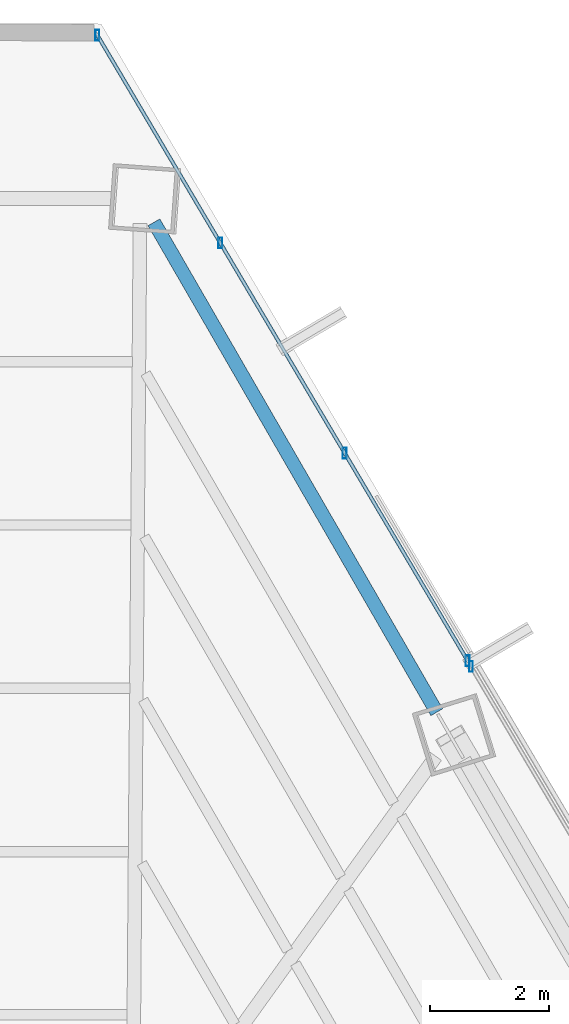
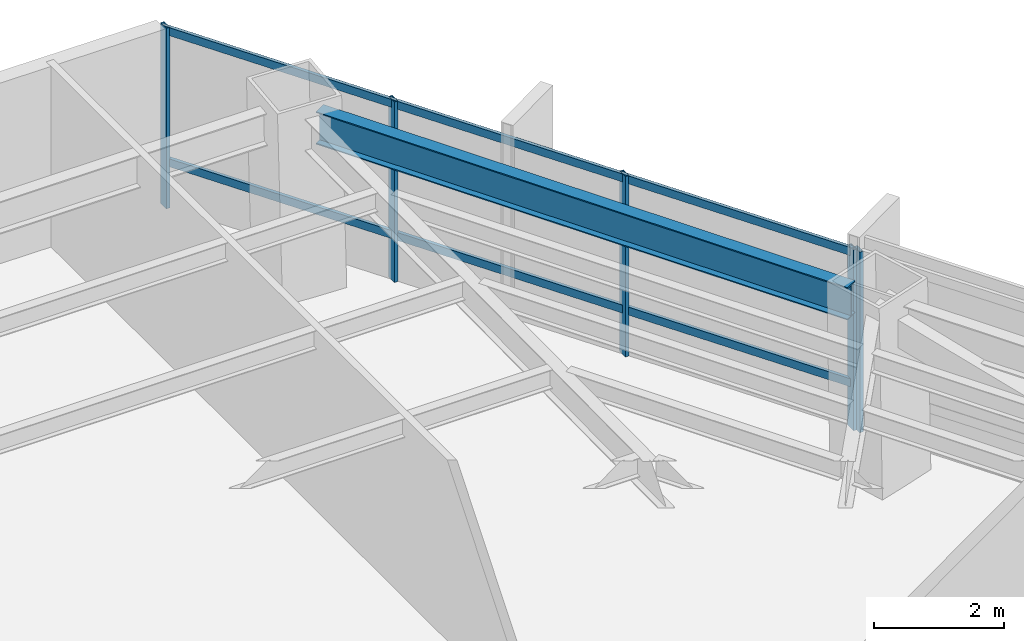
# One storey, part 28 of 35: 7 members, 1 beam, 2 elements without a shape of their own.
"""IFC4 building model written with IfcOpenShell, lengths in metres."""

import ifcopenshell
import ifcopenshell.guid

model = None  # the IFC model being written
_history = None  # IfcOwnerHistory: only IFC2X3 demands one
_inside = {}  # id of a spatial element -> (the spatial element, [elements in it])
_under = {}  # id of a project, library or spatial element -> (it, [spatial elements below it])
_declared = {}  # id of a project -> (the project, [libraries it declares])
_typed = {}  # id of a type object -> (the type object, [elements of that type])
_made_of = {}  # id of a material, layer set ... -> (it, [elements and type objects made of it])


def new_model(schema):
    """Start an empty IFC model of exactly this schema.

    Asked for "IFC4X3", IfcOpenShell would pick the latest addendum, in which some entities
    have other attributes; the version numbers below select the first issue.
    IFC2X3 requires an IfcOwnerHistory on every rooted entity: one is made here for all.
    """
    global model, _history
    if schema == "IFC4X3":
        model = ifcopenshell.file(schema_version=(4, 3, 0, 0))
    else:
        model = ifcopenshell.file(schema=schema)
    _inside.clear()
    _under.clear()
    _declared.clear()
    _typed.clear()
    _made_of.clear()
    _history = None
    if model.schema == "IFC2X3":
        org = make("IfcOrganization", Name="unknown")
        user = make(
            "IfcPersonAndOrganization",
            ThePerson=make("IfcPerson", FamilyName="unknown"),
            TheOrganization=org,
        )
        app = make(
            "IfcApplication",
            ApplicationDeveloper=org,
            Version="unknown",
            ApplicationFullName="unknown",
            ApplicationIdentifier="unknown",
        )
        _history = make(
            "IfcOwnerHistory",
            OwningUser=user,
            OwningApplication=app,
            ChangeAction="ADDED",
            CreationDate=0,
        )
    return model


def make(cls, **values):
    """One entity of the class cls with the attributes given. An attribute that is None is left unset."""
    return model.create_entity(
        cls, **{name: value for name, value in values.items() if value is not None}
    )


def rooted(cls, **values):
    """An entity with a GlobalId (a new one), such as an element, a storey or a relation."""
    return make(cls, GlobalId=ifcopenshell.guid.new(), OwnerHistory=_history, **values)


def si_unit(unit_type, name, prefix=None):
    """IfcSIUnit, for example si_unit("LENGTHUNIT", "METRE", prefix="MILLI")."""
    return make("IfcSIUnit", UnitType=unit_type, Prefix=prefix, Name=name)


def assignment(units):
    """IfcUnitAssignment: the units of a project."""
    return None if units is None else make("IfcUnitAssignment", Units=units)


def point(xyz):
    """IfcCartesianPoint."""
    return None if xyz is None else make("IfcCartesianPoint", Coordinates=xyz)


def direction(xyz):
    """IfcDirection."""
    return None if xyz is None else make("IfcDirection", DirectionRatios=xyz)


def frame(location, z_axis=None, x_axis=None):
    """IfcAxis2Placement3D, a coordinate frame: its origin and axes. An axis left out is left unset."""
    return make(
        "IfcAxis2Placement3D",
        Location=point(location),
        Axis=direction(z_axis),
        RefDirection=direction(x_axis),
    )


def frame_2d(location, x_axis=None):
    """IfcAxis2Placement2D, a coordinate frame in the plane: its origin and x axis."""
    return make(
        "IfcAxis2Placement2D", Location=point(location), RefDirection=direction(x_axis)
    )


def origin():
    """The frame at (0, 0, 0) with its axes left unset."""
    return frame((0.0, 0.0, 0.0))


def origin_2d():
    """The frame at (0, 0) in the plane with its x axis left unset."""
    return frame_2d((0.0, 0.0))


def place(relative_to, where):
    """IfcLocalPlacement: puts the frame where relative to a parent placement (None: the world)."""
    return make(
        "IfcLocalPlacement", PlacementRelTo=relative_to, RelativePlacement=where
    )


def context(
    kind, dimensions, precision=None, world=None, true_north=None, identifier=None
):
    """IfcGeometricRepresentationContext, for example the 3D "Model" context."""
    return make(
        "IfcGeometricRepresentationContext",
        ContextIdentifier=identifier,
        ContextType=kind,
        CoordinateSpaceDimension=dimensions,
        Precision=precision,
        WorldCoordinateSystem=world,
        TrueNorth=true_north,
    )


def subcontext(parent, identifier, kind, view, scale=None):
    """IfcGeometricRepresentationSubContext, for example "Body" below "Model"."""
    return make(
        "IfcGeometricRepresentationSubContext",
        ContextIdentifier=identifier,
        ContextType=kind,
        ParentContext=parent,
        TargetScale=scale,
        TargetView=view,
    )


def project(units=None, contexts=None):
    """IfcProject with its units and contexts."""
    return rooted(
        "IfcProject",
        Name="project",
        RepresentationContexts=contexts,
        UnitsInContext=assignment(units),
    )


def spatial(cls, under=None, at=None, **own):
    """A site, building, storey or space (cls), placed at a placement, below another one or the project."""
    s = rooted(cls, ObjectPlacement=at, **own)
    if under is not None:
        _under.setdefault(under.id(), (under, []))[1].append(s)
    return s


def profile(cls, at=None, kind="AREA", **sizes):
    """A parametric profile (cls). Its sizes go by their IFC names, for example OverallWidth=200.0."""
    return make(cls, ProfileType=kind, Position=at, **sizes)


def hollow_rectangle(**sizes):
    """IfcRectangleHollowProfileDef."""
    return profile("IfcRectangleHollowProfileDef", **sizes)


def i_section(**sizes):
    """IfcIShapeProfileDef."""
    return profile("IfcIShapeProfileDef", **sizes)


def extrude(swept, where, along, depth):
    """IfcExtrudedAreaSolid: the profile swept, set in the frame where, extruded along a direction by depth."""
    return make(
        "IfcExtrudedAreaSolid",
        SweptArea=swept,
        Position=where,
        ExtrudedDirection=direction(along),
        Depth=depth,
    )


def shape(context_of_items, identifier, shape_type, items):
    """IfcShapeRepresentation: the items that make up one representation, for example the "Body"."""
    return make(
        "IfcShapeRepresentation",
        ContextOfItems=context_of_items,
        RepresentationIdentifier=identifier,
        RepresentationType=shape_type,
        Items=items,
    )


def source(mapping_origin, context_of_items, identifier, shape_type, items):
    """IfcRepresentationMap: a shape defined once, which mapped items show again and again."""
    return make(
        "IfcRepresentationMap",
        MappingOrigin=mapping_origin,
        MappedRepresentation=shape(context_of_items, identifier, shape_type, items),
    )


def transform(
    local_origin,
    x_axis=None,
    y_axis=None,
    z_axis=None,
    scale=None,
    scale2=None,
    scale3=None,
    uniform=True,
):
    """IfcCartesianTransformationOperator3D, or its non-uniform kind. x_axis, y_axis, z_axis: its Axis1, 2, 3."""
    if uniform:
        return make(
            "IfcCartesianTransformationOperator3D",
            Axis1=direction(x_axis),
            Axis2=direction(y_axis),
            LocalOrigin=point(local_origin),
            Scale=scale,
            Axis3=direction(z_axis),
        )
    return make(
        "IfcCartesianTransformationOperator3DnonUniform",
        Axis1=direction(x_axis),
        Axis2=direction(y_axis),
        LocalOrigin=point(local_origin),
        Scale=scale,
        Axis3=direction(z_axis),
        Scale2=scale2,
        Scale3=scale3,
    )


def mapped(mapping_source, mapping_target):
    """IfcMappedItem: shows the shape of a source again, moved by a transform."""
    return make(
        "IfcMappedItem", MappingSource=mapping_source, MappingTarget=mapping_target
    )


def material(Name=None, Category=None):
    """IfcMaterial."""
    return make("IfcMaterial", Name=Name, Category=Category)


def material_profile(
    of_material, cross_section, Name=None, Category=None, Priority=None
):
    """IfcMaterialProfile: a cross section and its material."""
    return make(
        "IfcMaterialProfile",
        Name=Name,
        Material=of_material,
        Profile=cross_section,
        Priority=Priority,
        Category=Category,
    )


def profile_set(profiles, Name=None, composite=None):
    """IfcMaterialProfileSet."""
    return make(
        "IfcMaterialProfileSet",
        Name=Name,
        MaterialProfiles=profiles,
        CompositeProfile=composite,
    )


def made_of(thing, what):
    """Note that an element or type object is made of a material, layer set ...; save() writes the relation."""
    if what is not None:
        _made_of.setdefault(what.id(), (what, []))[1].append(thing)
    return thing


def type_object(cls, material=None, **own):
    """A type object (cls), such as IfcWallType, which elements share."""
    return made_of(rooted(cls, **own), material)


def type_shapes(of_type, sources):
    """Give a type object the sources (RepresentationMaps) that its elements show as mapped items."""
    of_type.RepresentationMaps = sources


def element(
    cls,
    number,
    at=None,
    inside=None,
    cuts=None,
    type_object=None,
    material=None,
    context=None,
    identifier="Body",
    shape_type=None,
    held_by="IfcProductDefinitionShape",
    body=None,
    shapes=None,
    **own,
):
    """One element of the class cls, such as IfcWall. Its Tag is "e" and its number.

    at: its placement. inside: the storey or other place that contains it. cuts: it is an
    opening in that element (IfcRelVoidsElement). A single representation is given by context,
    identifier, shape_type and body (its items); several are given by shapes. held_by: the class
    of the entity that holds the representations. save() writes the other relations.
    """
    e = rooted(cls, Tag="e%d" % number, ObjectPlacement=at, **own)
    if body is not None:
        shapes = [shape(context, identifier, shape_type, body)]
    if shapes is not None:
        e.Representation = make(held_by, Representations=shapes)
    if inside is not None:
        _inside.setdefault(inside.id(), (inside, []))[1].append(e)
    if cuts is not None:
        rooted(
            "IfcRelVoidsElement", RelatingBuildingElement=cuts, RelatedOpeningElement=e
        )
    if type_object is not None:
        _typed.setdefault(type_object.id(), (type_object, []))[1].append(e)
    return made_of(e, material)


def aggregate(whole, parts):
    """IfcRelAggregates: a whole, such as a stair, and the parts it consists of."""
    return rooted("IfcRelAggregates", RelatingObject=whole, RelatedObjects=parts)


def save(model, path):
    """Write the relations noted so far, then the file.

    IfcRelAggregates (storeys below a building ...), IfcRelContainedInSpatialStructure (elements
    in a storey), IfcRelDefinesByType, IfcRelAssociatesMaterial and IfcRelDeclares: one each for
    every whole, place, type object, material and project.
    """
    for whole, parts in _under.values():
        aggregate(whole, parts)
    for where, things in _inside.values():
        rooted(
            "IfcRelContainedInSpatialStructure",
            RelatedElements=things,
            RelatingStructure=where,
        )
    for kind, things in _typed.values():
        rooted("IfcRelDefinesByType", RelatedObjects=things, RelatingType=kind)
    for what, things in _made_of.values():
        rooted("IfcRelAssociatesMaterial", RelatedObjects=things, RelatingMaterial=what)
    for by, libraries in _declared.values():
        rooted("IfcRelDeclares", RelatingContext=by, RelatedDefinitions=libraries)
    model.write(path)


model = new_model("IFC4")

# Units and contexts
model_context = context("Model", 3, precision=1e-05, world=origin(), true_north=direction((0.0, 1.0)))
body_context = subcontext(model_context, "Body", "Model", "MODEL_VIEW")
ifc_project = project(units=[si_unit("LENGTHUNIT", "METRE"), si_unit("AREAUNIT", "SQUARE_METRE"), si_unit("VOLUMEUNIT", "CUBIC_METRE"), si_unit("PLANEANGLEUNIT", "RADIAN"), si_unit("MASSUNIT", "GRAM", prefix="KILO")], contexts=[model_context])

# Site, building, storey
site_placement = place(None, origin())
site = spatial("IfcSite", under=ifc_project, at=site_placement, CompositionType="ELEMENT")
building_placement = place(site_placement, origin())
building = spatial("IfcBuilding", under=site, at=building_placement, Name="Caelisora Broadcast Tower", CompositionType="ELEMENT")
storey_placement = place(building_placement, frame((0.0, 0.0, 94.449951171875)))
storey = spatial("IfcBuildingStorey", under=building, at=storey_placement, Name="L24", CompositionType="ELEMENT", Elevation=94.449951171875)

# Beam
ifc_material_1 = material(Name="Steel Grade 350 (AS/NZS 3679.1)", Category="steel")
ifc_material_profile_1 = material_profile(ifc_material_1, i_section(OverallWidth=0.22900390625, OverallDepth=0.611572265625, WebThickness=0.011962890625, FlangeThickness=0.01953125, at=origin_2d()), Name="Steel Grade 350 (AS/NZS 3679.1)")
ifc_profile_set_1 = profile_set([ifc_material_profile_1], Name="Steel Grade 350 (AS/NZS 3679.1)")
beam_type = type_object("IfcBeamType", Name="PG03", PredefinedType="BEAM", material=ifc_profile_set_1)
shared_shape_1 = source(origin(), body_context, "Body", "SweptSolid", [
    extrude(i_section(OverallWidth=0.22900390625, OverallDepth=0.611572265625, WebThickness=0.011962890625, FlangeThickness=0.01953125, at=origin_2d()), origin(), (0.0, 0.0, 1.0), 9.4677734375),
])
type_shapes(beam_type, [shared_shape_1])
beam_placement = place(storey_placement, frame((50.59130859375, 37.79833984375, 3.09423828125), z_axis=(-0.499994028088, 0.866028851642, 0.0), x_axis=(-0.866028851642, -0.499994028088, 0.0)))
element("IfcBeam", 1, at=beam_placement, inside=storey, type_object=beam_type, Name="L24 beam PG03", PredefinedType="BEAM", context=body_context, shape_type="MappedRepresentation", body=[
    mapped(shared_shape_1, transform((0.0, 0.0, 0.0), scale=1.0)),
])

# Curtain wall, members
ifc_material_2 = material(Name="Unitised Aluminium and Low-E Glass Curtain Wall", Category="glass")
curtain_wall_type_1 = type_object("IfcCurtainWallType", Name="CW-Z2", PredefinedType="NOTDEFINED", material=ifc_material_2)
curtain_wall_1_placement = place(storey_placement, origin())
curtain_wall_1 = element("IfcCurtainWall", 2, at=curtain_wall_1_placement, inside=storey, type_object=curtain_wall_type_1, Name="L24 curtain wall CW-Z2", PredefinedType="NOTDEFINED")
ifc_material_3 = material(Name="Aluminium 6063-T6 Anodised Terracotta Bronze", Category="aluminium")
ifc_material_profile_2 = material_profile(ifc_material_3, hollow_rectangle(XDim=0.06494140625, YDim=0.179931640625, WallThickness=0.00341796875, at=origin_2d()), Name="Aluminium 6063-T6 Anodised Terracotta Bronze")
ifc_profile_set_2 = profile_set([ifc_material_profile_2], Name="Aluminium 6063-T6 Anodised Terracotta Bronze")
member_type_1 = type_object("IfcMemberType", Name="CWM-02", PredefinedType="MULLION", material=ifc_profile_set_2)
shared_shape_2 = source(origin(), body_context, "Body", "SweptSolid", [
    extrude(hollow_rectangle(XDim=0.06494140625, YDim=0.179931640625, WallThickness=0.00341796875, at=origin_2d()), origin(), (0.0, 0.0, 1.0), 3.400146484375),
])
type_shapes(member_type_1, [shared_shape_2])
member_1_placement = place(storey_placement, frame((44.91162109375, 49.1279296875, 0.0), z_axis=(0.0, 0.0, 1.0), x_axis=(1.0, 0.0, 0.0)))
member_1 = element("IfcMember", 3, at=member_1_placement, type_object=member_type_1, Name="L24-CW-B01 mullion #0", PredefinedType="MULLION", context=body_context, shape_type="MappedRepresentation", body=[
    mapped(shared_shape_2, transform((0.0, 0.0, 0.0), scale=1.0)),
])
member_2_placement = place(storey_placement, frame((46.968505859375, 45.652587890625, 0.0), z_axis=(0.0, 0.0, 1.0), x_axis=(1.0, 0.0, 0.0)))
member_2 = element("IfcMember", 4, at=member_2_placement, type_object=member_type_1, Name="L24-CW-B01 mullion #1", PredefinedType="MULLION", context=body_context, shape_type="MappedRepresentation", body=[
    mapped(shared_shape_2, transform((0.0, 0.0, 0.0), scale=1.0)),
])
member_3_placement = place(storey_placement, frame((49.05078125, 42.134521484375, 0.0), z_axis=(0.0, 0.0, 1.0), x_axis=(1.0, 0.0, 0.0)))
member_3 = element("IfcMember", 5, at=member_3_placement, type_object=member_type_1, Name="L24-CW-B01 mullion #2", PredefinedType="MULLION", context=body_context, shape_type="MappedRepresentation", body=[
    mapped(shared_shape_2, transform((0.0, 0.0, 0.0), scale=1.0)),
])
member_4_placement = place(storey_placement, frame((51.107666015625, 38.6591796875, 0.0), z_axis=(0.0, 0.0, 1.0), x_axis=(1.0, 0.0, 0.0)))
member_4 = element("IfcMember", 6, at=member_4_placement, type_object=member_type_1, Name="L24-CW-B01 mullion #3", PredefinedType="MULLION", context=body_context, shape_type="MappedRepresentation", body=[
    mapped(shared_shape_2, transform((0.0, 0.0, 0.0), scale=1.0)),
])

# Curtain wall, member
ifc_material_4 = material(Name="Unitised Aluminium Insulated Shadow-Box Spandrel Curtain Wall", Category="aluminium")
curtain_wall_type_2 = type_object("IfcCurtainWallType", Name="CW-SP1", PredefinedType="NOTDEFINED", material=ifc_material_4)
curtain_wall_2_placement = place(storey_placement, origin())
curtain_wall_2 = element("IfcCurtainWall", 7, at=curtain_wall_2_placement, inside=storey, type_object=curtain_wall_type_2, Name="L24 curtain wall CW-SP1", PredefinedType="NOTDEFINED")
member_5_placement = place(storey_placement, frame((51.163818359375, 38.564453125, 0.0), z_axis=(0.0, 0.0, 1.0), x_axis=(1.0, 0.0, 0.0)))
member_5 = element("IfcMember", 8, at=member_5_placement, type_object=member_type_1, Name="L24-CW-B02 mullion #0", PredefinedType="MULLION", context=body_context, shape_type="MappedRepresentation", body=[
    mapped(shared_shape_2, transform((0.0, 0.0, 0.0), scale=1.0)),
])
aggregate(curtain_wall_2, [member_5])

# Member
ifc_material_profile_3 = material_profile(ifc_material_3, hollow_rectangle(XDim=0.06005859375, YDim=0.14990234375, WallThickness=0.00341796875, at=origin_2d()), Name="Aluminium 6063-T6 Anodised Terracotta Bronze")
ifc_profile_set_3 = profile_set([ifc_material_profile_3], Name="Aluminium 6063-T6 Anodised Terracotta Bronze")
member_type_2 = type_object("IfcMemberType", Name="CWT-02", PredefinedType="USERDEFINED", material=ifc_profile_set_3)
shared_shape_3 = source(origin(), body_context, "Body", "SweptSolid", [
    extrude(hollow_rectangle(XDim=0.06005859375, YDim=0.14990234375, WallThickness=0.00341796875, at=origin_2d()), origin(), (0.0, 0.0, 1.0), 12.1650390625),
])
type_shapes(member_type_2, [shared_shape_3])
member_6_placement = place(storey_placement, frame((44.91162109375, 49.1279296875, 0.85009765625), z_axis=(0.509336363589, -0.860567527116, 0.0), x_axis=(0.860567527116, 0.509336363589, 0.0)))
member_6 = element("IfcMember", 9, at=member_6_placement, type_object=member_type_2, Name="L24-CW-B01 transom #1", ObjectType="TRANSOM", PredefinedType="USERDEFINED", context=body_context, shape_type="MappedRepresentation", body=[
    mapped(shared_shape_3, transform((0.0, 0.0, 0.0), scale=1.0)),
])

member_7_placement = place(storey_placement, frame((44.91162109375, 49.1279296875, 3.320068359375), z_axis=(0.509336363589, -0.860567527116, 0.0), x_axis=(0.860567527116, 0.509336363589, 0.0)))
member_7 = element("IfcMember", 10, at=member_7_placement, type_object=member_type_2, Name="L24-CW-B01 transom #2", ObjectType="TRANSOM", PredefinedType="USERDEFINED", context=body_context, shape_type="MappedRepresentation", body=[
    mapped(shared_shape_3, transform((0.0, 0.0, 0.0), scale=1.0)),
])

aggregate(curtain_wall_1, [member_1, member_2, member_3, member_4, member_6, member_7])

save(model, "model.ifc")
